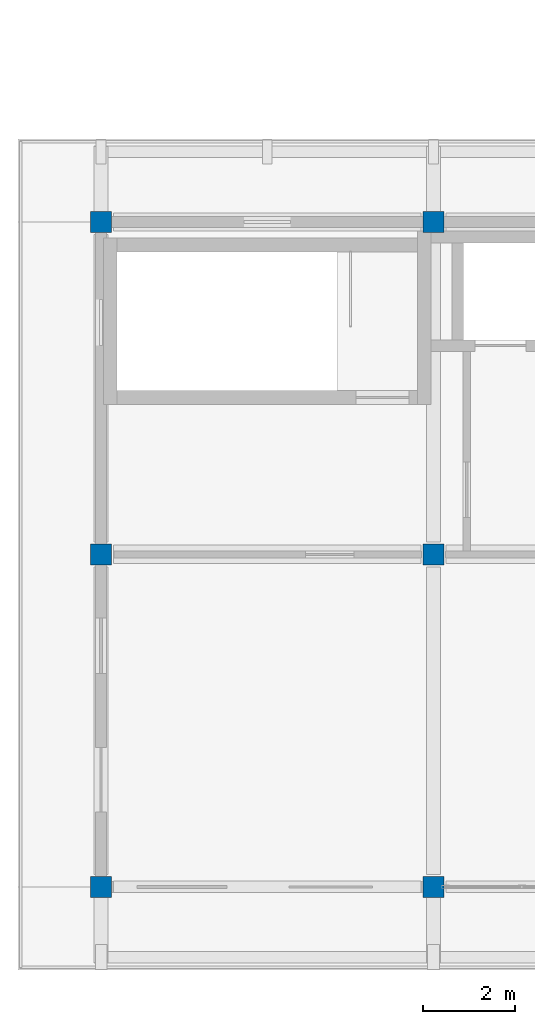
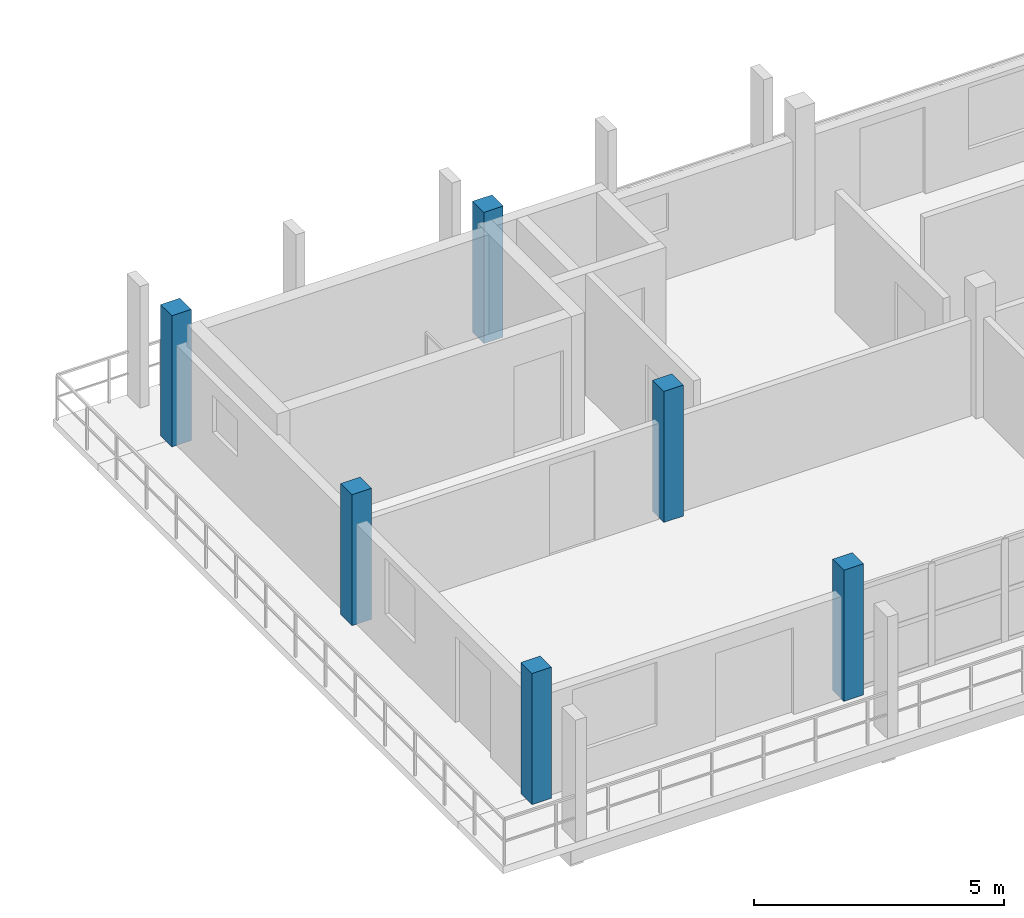
# One storey, part 1 of 56: 6 columns.
"""IFC4 building model written with IfcOpenShell, lengths in metres."""

from ifc_helpers import new_model, si_unit, direction, frame, origin, origin_2d, place, context, subcontext, project, spatial, rectangle, extrude, material, material_profile, profile_set, type_object, element, save


model = new_model("IFC4")

# Units and contexts
model_context = context("Model", 3, precision=1e-05, world=origin(), true_north=direction((0.0, 1.0)))
body_context = subcontext(model_context, "Body", "Model", "MODEL_VIEW")
ifc_project = project(units=[si_unit("LENGTHUNIT", "METRE"), si_unit("AREAUNIT", "SQUARE_METRE"), si_unit("VOLUMEUNIT", "CUBIC_METRE"), si_unit("PLANEANGLEUNIT", "RADIAN"), si_unit("MASSUNIT", "GRAM", prefix="KILO")], contexts=[model_context])

# Site, building, storey
site_placement = place(None, origin())
site = spatial("IfcSite", under=ifc_project, at=site_placement, CompositionType="ELEMENT")
building_placement = place(site_placement, origin())
building = spatial("IfcBuilding", under=site, at=building_placement, Name="Suanplinth Sawtooth Commons", CompositionType="ELEMENT")
storey_placement = place(building_placement, frame((0.0, 0.0, 34.800048828125)))
storey = spatial("IfcBuildingStorey", under=building, at=storey_placement, Name="L10", CompositionType="ELEMENT", Elevation=34.800048828125)

# Columns
ifc_material = material(Name="Precast concrete C40/50", Category="concrete")
ifc_material_profile = material_profile(ifc_material, rectangle(XDim=0.449951171875, YDim=0.449951171875, at=origin_2d()), Name="PC-COL 450x450")
ifc_profile_set = profile_set([ifc_material_profile], Name="Precast concrete C40/50")
column_type = type_object("IfcColumnType", Name="C-07", PredefinedType="COLUMN", material=ifc_profile_set)
for number, where, z_axis, x_axis, name in (
    (1, (136.800048828125, 0.0, 0.0), (0.0, 0.0, 1.0), (1.0, 0.0, 0.0), "Column L10 20/A"),
    (2, (136.800048828125, 7.199951171875, 0.0), (0.0, 0.0, 1.0), (1.0, 0.0, 0.0), "Column L10 20/B"),
    (3, (136.800048828125, 14.39990234375, 0.0), (0.0, 0.0, 1.0), (1.0, 0.0, 0.0), "Column L10 20/C"),
    (4, (144.0, 0.0, 0.0), (0.0, 0.0, 1.0), (1.0, 0.0, 0.0), "Column L10 21/A"),
    (5, (144.0, 7.199951171875, 0.0), (0.0, 0.0, 1.0), (1.0, 0.0, 0.0), "Column L10 21/B"),
    (6, (144.0, 14.39990234375, 0.0), (0.0, 0.0, 1.0), (1.0, 0.0, 0.0), "Column L10 21/C"),
):
    element("IfcColumn", number, at=place(storey_placement, frame(where, z_axis=z_axis, x_axis=x_axis)), inside=storey, type_object=column_type, Name=name, PredefinedType="COLUMN", context=body_context, shape_type="SweptSolid", body=[
        extrude(rectangle(XDim=0.449951171875, YDim=0.449951171875, at=origin_2d()), origin(), (0.0, 0.0, 1.0), 3.199951171875),
    ])

save(model, "model.ifc")
